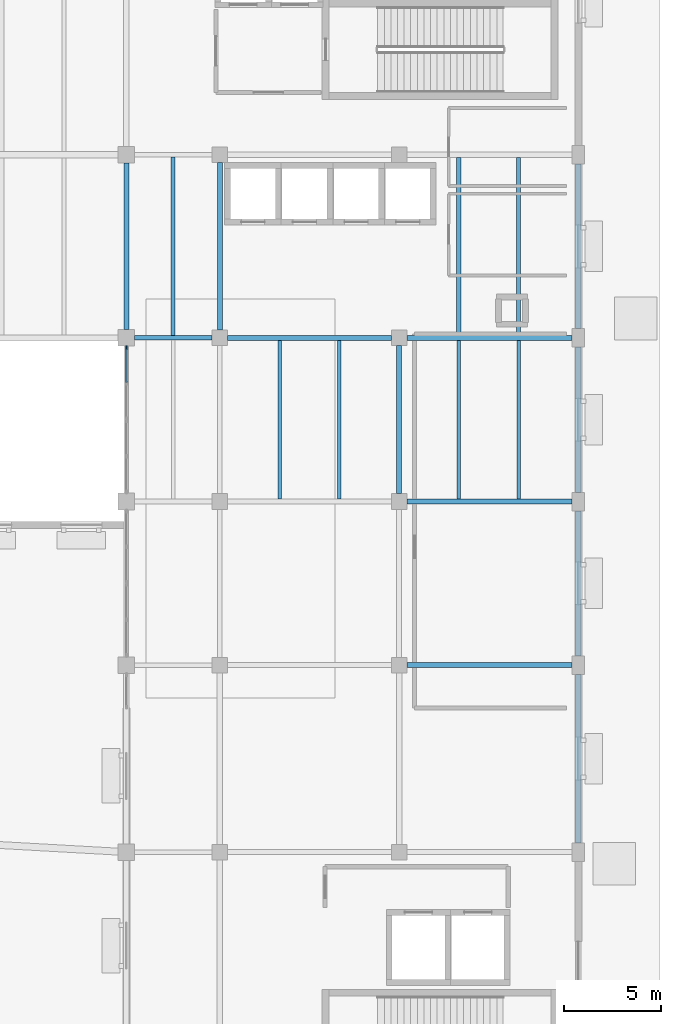
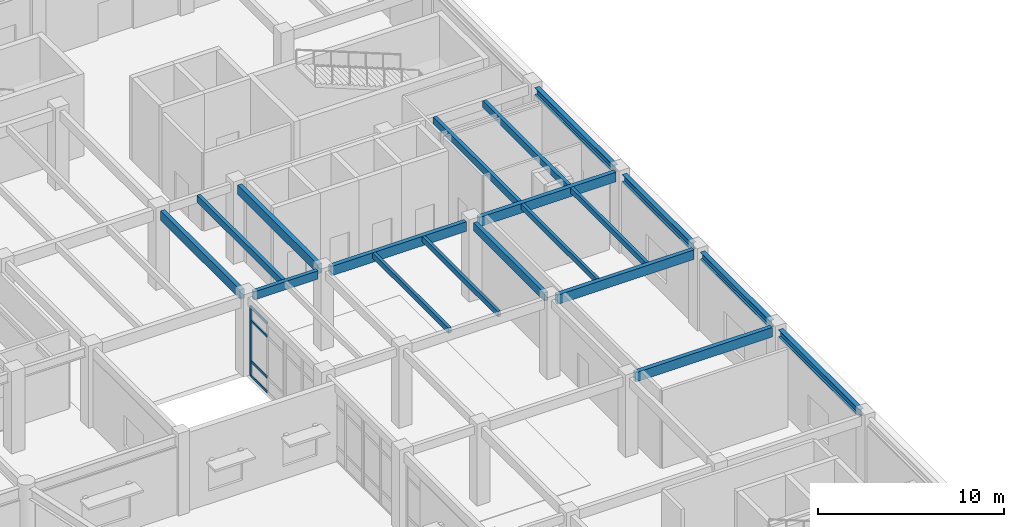
# One storey, part 20 of 54: 19 beams, 5 members, 1 element without a shape of its own.
"""IFC4 building model written with IfcOpenShell, lengths in metres."""

from ifc_helpers import new_model, si_unit, direction, frame, origin, origin_2d, place, context, subcontext, project, spatial, rectangle, i_section, extrude, material, material_profile, profile_set, type_object, element, aggregate, save


model = new_model("IFC4")

# Units and contexts
model_context = context("Model", 3, precision=1e-05, world=origin(), true_north=direction((0.0, 1.0)))
body_context = subcontext(model_context, "Body", "Model", "MODEL_VIEW")
ifc_project = project(units=[si_unit("LENGTHUNIT", "METRE"), si_unit("AREAUNIT", "SQUARE_METRE"), si_unit("VOLUMEUNIT", "CUBIC_METRE"), si_unit("PLANEANGLEUNIT", "RADIAN"), si_unit("MASSUNIT", "GRAM", prefix="KILO")], contexts=[model_context])

# Site, building, storey
site_placement = place(None, origin())
site = spatial("IfcSite", under=ifc_project, at=site_placement, CompositionType="ELEMENT")
building_placement = place(site_placement, origin())
building = spatial("IfcBuilding", under=site, at=building_placement, Name="Veldera Park Congress Hotel", CompositionType="ELEMENT")
storey_placement = place(building_placement, origin())
storey = spatial("IfcBuildingStorey", under=building, at=storey_placement, Name="L00", CompositionType="ELEMENT", Elevation=0.0)

# Beams
ifc_material_1 = material(Name="Glulam GL28h (NDS 24F-V4)", Category="wood")
ifc_material_profile_1 = material_profile(ifc_material_1, rectangle(XDim=0.239990234375, YDim=0.5400390625, at=origin_2d()), Name="GL28h 240x540")
ifc_profile_set_1 = profile_set([ifc_material_profile_1], Name="Glulam GL28h (NDS 24F-V4)")
beam_type_1 = type_object("IfcBeamType", Name="BM-GL540", PredefinedType="BEAM", material=ifc_profile_set_1)
beam_1_placement = place(storey_placement, frame((61.22509765625, 27.0, 4.85009765625), z_axis=(1.0, 0.0, 0.0), x_axis=(0.0, 1.0, 0.0)))
element("IfcBeam", 1, at=beam_1_placement, inside=storey, type_object=beam_type_1, Name="L00 Girder BM-GL540 350", PredefinedType="BEAM", context=body_context, shape_type="SweptSolid", body=[
    extrude(rectangle(XDim=0.239990234375, YDim=0.5400390625, at=origin_2d()), origin(), (0.0, 0.0, 1.0), 3.974853515625),
])
beam_2_placement = place(storey_placement, frame((74.800048828125, 19.0, 4.85009765625), z_axis=(0.0, 1.0, 0.0), x_axis=(-1.0, 0.0, 0.0)))
element("IfcBeam", 2, at=beam_2_placement, inside=storey, type_object=beam_type_1, Name="L00 Girder BM-GL540 476", PredefinedType="BEAM", context=body_context, shape_type="SweptSolid", body=[
    extrude(rectangle(XDim=0.239990234375, YDim=0.5400390625, at=origin_2d()), origin(), (0.0, 0.0, 1.0), 7.60009765625),
])
ifc_material_profile_2 = material_profile(ifc_material_1, rectangle(XDim=0.264892578125, YDim=0.6201171875, at=origin_2d()), Name="GL28h 265x620")
ifc_profile_set_2 = profile_set([ifc_material_profile_2], Name="Glulam GL28h (NDS 24F-V4)")
beam_type_2 = type_object("IfcBeamType", Name="BM-GL620", PredefinedType="BEAM", material=ifc_profile_set_2)
for number, where, z_axis, x_axis, name in (
    (3, (75.199951171875, 10.199951171875, 4.81005859375), (1.0, 0.0, 0.0), (0.0, 1.0, 0.0), "L00 Girder BM-GL620 323"),
    (4, (75.199951171875, 18.60009765625, 4.81005859375), (1.0, 0.0, 0.0), (0.0, 1.0, 0.0), "L00 Girder BM-GL620 335"),
):
    element("IfcBeam", number, at=place(storey_placement, frame(where, z_axis=z_axis, x_axis=x_axis)), inside=storey, type_object=beam_type_2, Name=name, PredefinedType="BEAM", context=body_context, shape_type="SweptSolid", body=[
        extrude(rectangle(XDim=0.264892578125, YDim=0.6201171875, at=origin_2d()), origin(), (0.0, 0.0, 1.0), 8.47509765625),
    ])
beam_3_placement = place(storey_placement, frame((66.0, 27.0, 4.81005859375), z_axis=(1.0, 0.0, 0.0), x_axis=(0.0, 1.0, 0.0)))
element("IfcBeam", 5, at=beam_3_placement, inside=storey, type_object=beam_type_2, Name="L00 Girder BM-GL620 351", PredefinedType="BEAM", context=body_context, shape_type="SweptSolid", body=[
    extrude(rectangle(XDim=0.264892578125, YDim=0.6201171875, at=origin_2d()), origin(), (0.0, 0.0, 1.0), 8.39990234375),
])
beam_4_placement = place(storey_placement, frame((75.199951171875, 27.0, 4.81005859375), z_axis=(1.0, 0.0, 0.0), x_axis=(0.0, 1.0, 0.0)))
element("IfcBeam", 6, at=beam_4_placement, inside=storey, type_object=beam_type_2, Name="L00 Girder BM-GL620 352", PredefinedType="BEAM", context=body_context, shape_type="SweptSolid", body=[
    extrude(rectangle(XDim=0.264892578125, YDim=0.6201171875, at=origin_2d()), origin(), (0.0, 0.0, 1.0), 8.47509765625),
])
beam_5_placement = place(storey_placement, frame((60.800048828125, 27.425048828125, 4.81005859375), z_axis=(0.0, 1.0, 0.0), x_axis=(-1.0, 0.0, 0.0)))
element("IfcBeam", 7, at=beam_5_placement, inside=storey, type_object=beam_type_2, Name="L00 Girder BM-GL620 461", PredefinedType="BEAM", context=body_context, shape_type="SweptSolid", body=[
    extrude(rectangle(XDim=0.264892578125, YDim=0.6201171875, at=origin_2d()), origin(), (0.0, 0.0, 1.0), 8.550048828125),
])
beam_6_placement = place(storey_placement, frame((65.60009765625, 27.39990234375, 4.81005859375), z_axis=(0.0, 1.0, 0.0), x_axis=(-1.0, 0.0, 0.0)))
element("IfcBeam", 8, at=beam_6_placement, inside=storey, type_object=beam_type_2, Name="L00 Girder BM-GL620 468", PredefinedType="BEAM", context=body_context, shape_type="SweptSolid", body=[
    extrude(rectangle(XDim=0.264892578125, YDim=0.6201171875, at=origin_2d()), origin(), (0.0, 0.0, 1.0), 8.60009765625),
])

# Curtain wall, members
ifc_material_2 = material(Name="Low-E Triple Insulating Glass Unit (SHGC 0.22)", Category="glass")
curtain_wall_type = type_object("IfcCurtainWallType", Name="CW-HTL", PredefinedType="NOTDEFINED", material=ifc_material_2)
curtain_wall_placement = place(storey_placement, origin())
curtain_wall = element("IfcCurtainWall", 9, at=curtain_wall_placement, inside=storey, type_object=curtain_wall_type, Name="L00 Curtain Wall CW3-HTLW-L00-085", PredefinedType="NOTDEFINED")
ifc_material_3 = material(Name="Anodised Aluminium Alloy 6063-T6", Category="aluminium")
ifc_material_profile_3 = material_profile(ifc_material_3, rectangle(XDim=0.074951171875, YDim=0.199951171875, at=origin_2d()), Name="ALU 75x200")
ifc_profile_set_3 = profile_set([ifc_material_profile_3], Name="Anodised Aluminium Alloy 6063-T6")
member_type_1 = type_object("IfcMemberType", Name="CWM-200", PredefinedType="MULLION", material=ifc_profile_set_3)
member_1_placement = place(storey_placement, frame((60.800048828125, 26.49755859375, 0.0), z_axis=(0.0, 0.0, 1.0), x_axis=(1.0, 0.0, 0.0)))
member_1 = element("IfcMember", 10, at=member_1_placement, type_object=member_type_1, Name="CW-HTL mullion 1", PredefinedType="MULLION", context=body_context, shape_type="SweptSolid", body=[
    extrude(rectangle(XDim=0.074951171875, YDim=0.199951171875, at=origin_2d()), origin(), (0.0, 0.0, 1.0), 4.574951171875),
])
ifc_material_profile_4 = material_profile(ifc_material_3, rectangle(XDim=0.074951171875, YDim=0.14990234375, at=origin_2d()), Name="ALU 75x150")
ifc_profile_set_4 = profile_set([ifc_material_profile_4], Name="Anodised Aluminium Alloy 6063-T6")
member_type_2 = type_object("IfcMemberType", Name="CWT-150", PredefinedType="USERDEFINED", material=ifc_profile_set_4)
member_2_placement = place(storey_placement, frame((60.800048828125, 26.4599609375, 0.03759765625), z_axis=(0.0, -1.0, 0.0), x_axis=(1.0, 0.0, 0.0)))
member_2 = element("IfcMember", 11, at=member_2_placement, type_object=member_type_2, Name="CW-HTL transom 1.1", ObjectType="TRANSOM", PredefinedType="USERDEFINED", context=body_context, shape_type="SweptSolid", body=[
    extrude(rectangle(XDim=0.074951171875, YDim=0.14990234375, at=origin_2d()), origin(), (0.0, 0.0, 1.0), 1.74755859375),
])
member_3_placement = place(storey_placement, frame((60.800048828125, 26.4599609375, 1.0), z_axis=(0.0, -1.0, 0.0), x_axis=(1.0, 0.0, 0.0)))
member_3 = element("IfcMember", 12, at=member_3_placement, type_object=member_type_2, Name="CW-HTL transom 1.2", ObjectType="TRANSOM", PredefinedType="USERDEFINED", context=body_context, shape_type="SweptSolid", body=[
    extrude(rectangle(XDim=0.074951171875, YDim=0.14990234375, at=origin_2d()), origin(), (0.0, 0.0, 1.0), 1.74755859375),
])
member_4_placement = place(storey_placement, frame((60.800048828125, 26.4599609375, 3.675048828125), z_axis=(0.0, -1.0, 0.0), x_axis=(1.0, 0.0, 0.0)))
member_4 = element("IfcMember", 13, at=member_4_placement, type_object=member_type_2, Name="CW-HTL transom 1.3", ObjectType="TRANSOM", PredefinedType="USERDEFINED", context=body_context, shape_type="SweptSolid", body=[
    extrude(rectangle(XDim=0.074951171875, YDim=0.14990234375, at=origin_2d()), origin(), (0.0, 0.0, 1.0), 1.74755859375),
])
member_5_placement = place(storey_placement, frame((60.800048828125, 26.4599609375, 4.53759765625), z_axis=(0.0, -1.0, 0.0), x_axis=(1.0, 0.0, 0.0)))
member_5 = element("IfcMember", 14, at=member_5_placement, type_object=member_type_2, Name="CW-HTL transom 1.4", ObjectType="TRANSOM", PredefinedType="USERDEFINED", context=body_context, shape_type="SweptSolid", body=[
    extrude(rectangle(XDim=0.074951171875, YDim=0.14990234375, at=origin_2d()), origin(), (0.0, 0.0, 1.0), 1.74755859375),
])
aggregate(curtain_wall, [member_1, member_2, member_3, member_4, member_5])

# Beams
ifc_material_profile_5 = material_profile(ifc_material_1, rectangle(XDim=0.179931640625, YDim=0.360107421875, at=origin_2d()), Name="GL28h 180x360")
ifc_profile_set_5 = profile_set([ifc_material_profile_5], Name="Glulam GL28h (NDS 24F-V4)")
beam_type_3 = type_object("IfcBeamType", Name="JST-GL360", PredefinedType="JOIST", material=ifc_profile_set_5)
for number, where, z_axis, x_axis, name in (
    (15, (68.666748046875, 18.732421875, 4.93994140625), (0.0, 1.0, 0.0), (-1.0, 0.0, 0.0), "L00 Floor Joist JST-GL360 506"),
    (16, (71.7333984375, 18.732421875, 4.93994140625), (0.0, 1.0, 0.0), (-1.0, 0.0, 0.0), "L00 Floor Joist JST-GL360 507"),
    (17, (77.86669921875, 18.732421875, 4.93994140625), (0.0, 1.0, 0.0), (-1.0, 0.0, 0.0), "L00 Floor Joist JST-GL360 508"),
    (18, (80.933349609375, 18.732421875, 4.93994140625), (0.0, 1.0, 0.0), (-1.0, 0.0, 0.0), "L00 Floor Joist JST-GL360 509"),
):
    element("IfcBeam", number, at=place(storey_placement, frame(where, z_axis=z_axis, x_axis=x_axis)), inside=storey, type_object=beam_type_3, Name=name, PredefinedType="JOIST", context=body_context, shape_type="SweptSolid", body=[
        extrude(rectangle(XDim=0.179931640625, YDim=0.360107421875, at=origin_2d()), origin(), (0.0, 0.0, 1.0), 8.135009765625),
    ])
ifc_material_profile_6 = material_profile(ifc_material_1, rectangle(XDim=0.215087890625, YDim=0.449951171875, at=origin_2d()), Name="GL28h 215x450")
ifc_profile_set_6 = profile_set([ifc_material_profile_6], Name="Glulam GL28h (NDS 24F-V4)")
beam_type_4 = type_object("IfcBeamType", Name="JST-GL450", PredefinedType="JOIST", material=ifc_profile_set_6)
beam_7_placement = place(storey_placement, frame((63.199951171875, 27.1201171875, 4.89501953125), z_axis=(0.0, 1.0, 0.0), x_axis=(-1.0, 0.0, 0.0)))
element("IfcBeam", 19, at=beam_7_placement, inside=storey, type_object=beam_type_4, Name="L00 Floor Joist JST-GL450 522", PredefinedType="JOIST", context=body_context, shape_type="SweptSolid", body=[
    extrude(rectangle(XDim=0.215087890625, YDim=0.449951171875, at=origin_2d()), origin(), (0.0, 0.0, 1.0), 9.159912109375),
])
for number, where, z_axis, x_axis, name in (
    (20, (77.86669921875, 27.132568359375, 4.89501953125), (0.0, 1.0, 0.0), (-1.0, 0.0, 0.0), "L00 Floor Joist JST-GL450 523"),
    (21, (80.933349609375, 27.132568359375, 4.89501953125), (0.0, 1.0, 0.0), (-1.0, 0.0, 0.0), "L00 Floor Joist JST-GL450 524"),
):
    element("IfcBeam", number, at=place(storey_placement, frame(where, z_axis=z_axis, x_axis=x_axis)), inside=storey, type_object=beam_type_4, Name=name, PredefinedType="JOIST", context=body_context, shape_type="SweptSolid", body=[
        extrude(rectangle(XDim=0.215087890625, YDim=0.449951171875, at=origin_2d()), origin(), (0.0, 0.0, 1.0), 9.135009765625),
    ])
ifc_material_4 = material(Name="Steel ASTM A992 Gr.50", Category="steel")
ifc_material_profile_7 = material_profile(ifc_material_4, i_section(OverallWidth=0.280029296875, OverallDepth=0.462890625, WebThickness=0.0107421875, FlangeThickness=0.017333984375, at=origin_2d()), Name="W18X76")
ifc_profile_set_7 = profile_set([ifc_material_profile_7], Name="Steel ASTM A992 Gr.50")
beam_type_5 = type_object("IfcBeamType", Name="SPN-W18E", PredefinedType="SPANDREL", material=ifc_profile_set_7)
beam_8_placement = place(storey_placement, frame((84.0, 1.074951171875, 4.888427734375), z_axis=(0.0, 1.0, 0.0), x_axis=(-1.0, 0.0, 0.0)))
element("IfcBeam", 22, at=beam_8_placement, inside=storey, type_object=beam_type_5, Name="L00 Girder SPN-W18E 485", PredefinedType="SPANDREL", context=body_context, shape_type="SweptSolid", body=[
    extrude(i_section(OverallWidth=0.280029296875, OverallDepth=0.462890625, WebThickness=0.0107421875, FlangeThickness=0.017333984375, at=origin_2d()), origin(), (0.0, 0.0, 1.0), 8.650146484375),
])
for number, where, z_axis, x_axis, name in (
    (23, (84.0, 10.675048828125, 4.888427734375), (0.0, 1.0, 0.0), (-1.0, 0.0, 0.0), "L00 Girder SPN-W18E 486"),
    (24, (84.0, 19.074951171875, 4.888427734375), (0.0, 1.0, 0.0), (-1.0, 0.0, 0.0), "L00 Girder SPN-W18E 487"),
):
    element("IfcBeam", number, at=place(storey_placement, frame(where, z_axis=z_axis, x_axis=x_axis)), inside=storey, type_object=beam_type_5, Name=name, PredefinedType="SPANDREL", context=body_context, shape_type="SweptSolid", body=[
        extrude(i_section(OverallWidth=0.280029296875, OverallDepth=0.462890625, WebThickness=0.0107421875, FlangeThickness=0.017333984375, at=origin_2d()), origin(), (0.0, 0.0, 1.0), 7.449951171875),
    ])
beam_9_placement = place(storey_placement, frame((84.0, 27.47509765625, 4.888427734375), z_axis=(0.0, 1.0, 0.0), x_axis=(-1.0, 0.0, 0.0)))
element("IfcBeam", 25, at=beam_9_placement, inside=storey, type_object=beam_type_5, Name="L00 Girder SPN-W18E 488", PredefinedType="SPANDREL", context=body_context, shape_type="SweptSolid", body=[
    extrude(i_section(OverallWidth=0.280029296875, OverallDepth=0.462890625, WebThickness=0.0107421875, FlangeThickness=0.017333984375, at=origin_2d()), origin(), (0.0, 0.0, 1.0), 8.449951171875),
])

save(model, "model.ifc")
